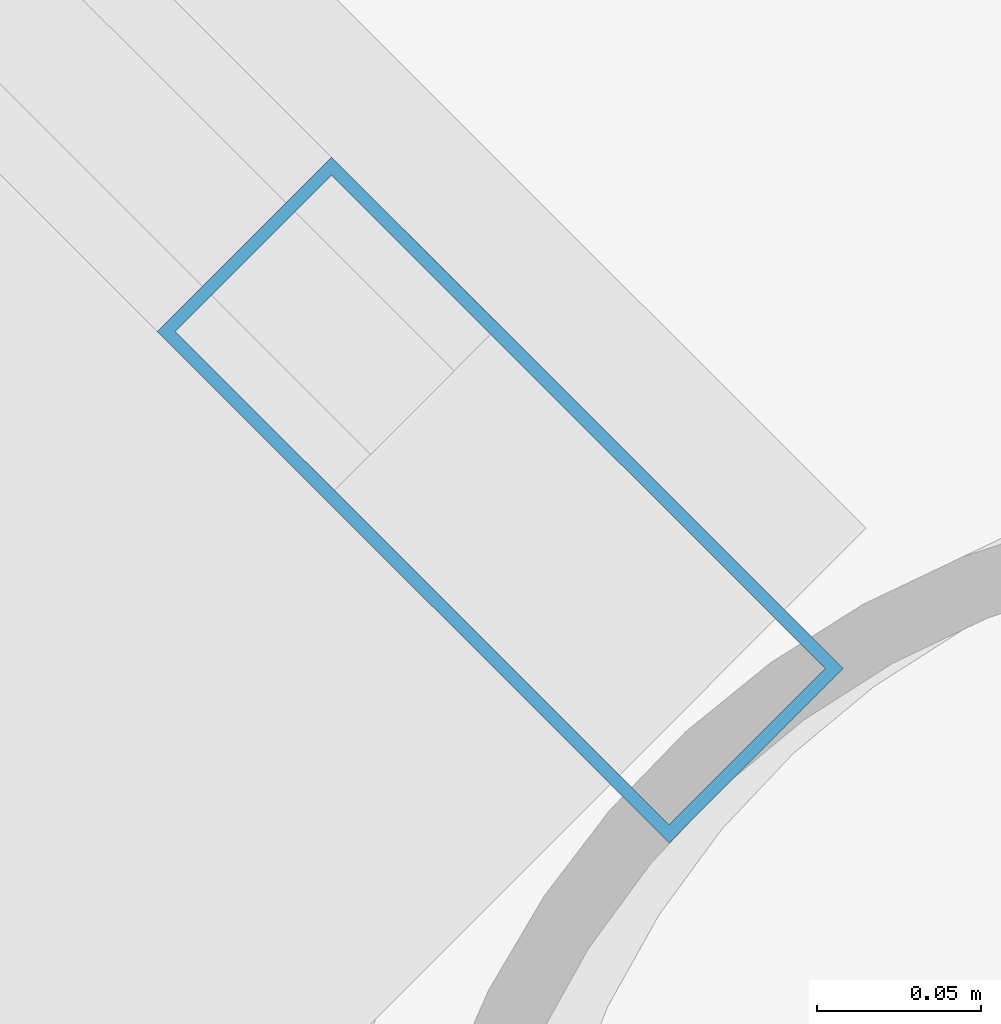
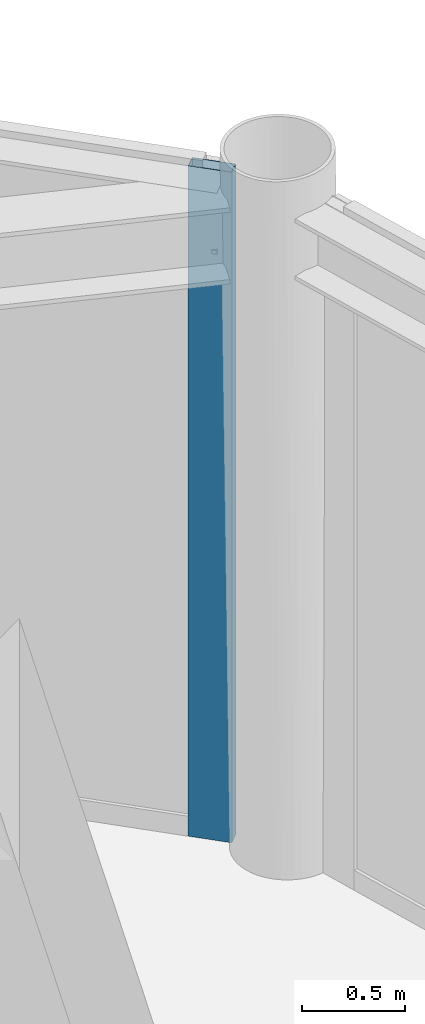
# One storey, part 14 of 21: 1 member, 1 element without a shape of its own.
"""IFC4 building model written with IfcOpenShell, lengths in metres."""

import ifcopenshell
import ifcopenshell.guid

model = None  # the IFC model being written
_history = None  # IfcOwnerHistory: only IFC2X3 demands one
_inside = {}  # id of a spatial element -> (the spatial element, [elements in it])
_under = {}  # id of a project, library or spatial element -> (it, [spatial elements below it])
_declared = {}  # id of a project -> (the project, [libraries it declares])
_typed = {}  # id of a type object -> (the type object, [elements of that type])
_made_of = {}  # id of a material, layer set ... -> (it, [elements and type objects made of it])


def new_model(schema):
    """Start an empty IFC model of exactly this schema.

    Asked for "IFC4X3", IfcOpenShell would pick the latest addendum, in which some entities
    have other attributes; the version numbers below select the first issue.
    IFC2X3 requires an IfcOwnerHistory on every rooted entity: one is made here for all.
    """
    global model, _history
    if schema == "IFC4X3":
        model = ifcopenshell.file(schema_version=(4, 3, 0, 0))
    else:
        model = ifcopenshell.file(schema=schema)
    _inside.clear()
    _under.clear()
    _declared.clear()
    _typed.clear()
    _made_of.clear()
    _history = None
    if model.schema == "IFC2X3":
        org = make("IfcOrganization", Name="unknown")
        user = make(
            "IfcPersonAndOrganization",
            ThePerson=make("IfcPerson", FamilyName="unknown"),
            TheOrganization=org,
        )
        app = make(
            "IfcApplication",
            ApplicationDeveloper=org,
            Version="unknown",
            ApplicationFullName="unknown",
            ApplicationIdentifier="unknown",
        )
        _history = make(
            "IfcOwnerHistory",
            OwningUser=user,
            OwningApplication=app,
            ChangeAction="ADDED",
            CreationDate=0,
        )
    return model


def make(cls, **values):
    """One entity of the class cls with the attributes given. An attribute that is None is left unset."""
    return model.create_entity(
        cls, **{name: value for name, value in values.items() if value is not None}
    )


def rooted(cls, **values):
    """An entity with a GlobalId (a new one), such as an element, a storey or a relation."""
    return make(cls, GlobalId=ifcopenshell.guid.new(), OwnerHistory=_history, **values)


def si_unit(unit_type, name, prefix=None):
    """IfcSIUnit, for example si_unit("LENGTHUNIT", "METRE", prefix="MILLI")."""
    return make("IfcSIUnit", UnitType=unit_type, Prefix=prefix, Name=name)


def assignment(units):
    """IfcUnitAssignment: the units of a project."""
    return None if units is None else make("IfcUnitAssignment", Units=units)


def point(xyz):
    """IfcCartesianPoint."""
    return None if xyz is None else make("IfcCartesianPoint", Coordinates=xyz)


def direction(xyz):
    """IfcDirection."""
    return None if xyz is None else make("IfcDirection", DirectionRatios=xyz)


def frame(location, z_axis=None, x_axis=None):
    """IfcAxis2Placement3D, a coordinate frame: its origin and axes. An axis left out is left unset."""
    return make(
        "IfcAxis2Placement3D",
        Location=point(location),
        Axis=direction(z_axis),
        RefDirection=direction(x_axis),
    )


def frame_2d(location, x_axis=None):
    """IfcAxis2Placement2D, a coordinate frame in the plane: its origin and x axis."""
    return make(
        "IfcAxis2Placement2D", Location=point(location), RefDirection=direction(x_axis)
    )


def origin():
    """The frame at (0, 0, 0) with its axes left unset."""
    return frame((0.0, 0.0, 0.0))


def origin_2d():
    """The frame at (0, 0) in the plane with its x axis left unset."""
    return frame_2d((0.0, 0.0))


def place(relative_to, where):
    """IfcLocalPlacement: puts the frame where relative to a parent placement (None: the world)."""
    return make(
        "IfcLocalPlacement", PlacementRelTo=relative_to, RelativePlacement=where
    )


def context(
    kind, dimensions, precision=None, world=None, true_north=None, identifier=None
):
    """IfcGeometricRepresentationContext, for example the 3D "Model" context."""
    return make(
        "IfcGeometricRepresentationContext",
        ContextIdentifier=identifier,
        ContextType=kind,
        CoordinateSpaceDimension=dimensions,
        Precision=precision,
        WorldCoordinateSystem=world,
        TrueNorth=true_north,
    )


def subcontext(parent, identifier, kind, view, scale=None):
    """IfcGeometricRepresentationSubContext, for example "Body" below "Model"."""
    return make(
        "IfcGeometricRepresentationSubContext",
        ContextIdentifier=identifier,
        ContextType=kind,
        ParentContext=parent,
        TargetScale=scale,
        TargetView=view,
    )


def project(units=None, contexts=None):
    """IfcProject with its units and contexts."""
    return rooted(
        "IfcProject",
        Name="project",
        RepresentationContexts=contexts,
        UnitsInContext=assignment(units),
    )


def spatial(cls, under=None, at=None, **own):
    """A site, building, storey or space (cls), placed at a placement, below another one or the project."""
    s = rooted(cls, ObjectPlacement=at, **own)
    if under is not None:
        _under.setdefault(under.id(), (under, []))[1].append(s)
    return s


def profile(cls, at=None, kind="AREA", **sizes):
    """A parametric profile (cls). Its sizes go by their IFC names, for example OverallWidth=200.0."""
    return make(cls, ProfileType=kind, Position=at, **sizes)


def hollow_rectangle(**sizes):
    """IfcRectangleHollowProfileDef."""
    return profile("IfcRectangleHollowProfileDef", **sizes)


def extrude(swept, where, along, depth):
    """IfcExtrudedAreaSolid: the profile swept, set in the frame where, extruded along a direction by depth."""
    return make(
        "IfcExtrudedAreaSolid",
        SweptArea=swept,
        Position=where,
        ExtrudedDirection=direction(along),
        Depth=depth,
    )


def shape(context_of_items, identifier, shape_type, items):
    """IfcShapeRepresentation: the items that make up one representation, for example the "Body"."""
    return make(
        "IfcShapeRepresentation",
        ContextOfItems=context_of_items,
        RepresentationIdentifier=identifier,
        RepresentationType=shape_type,
        Items=items,
    )


def material(Name=None, Category=None):
    """IfcMaterial."""
    return make("IfcMaterial", Name=Name, Category=Category)


def layer(
    of_material, thickness, ventilated=None, Name=None, Category=None, Priority=None
):
    """IfcMaterialLayer: one layer of a wall or slab, of a material (None: an air gap)."""
    return make(
        "IfcMaterialLayer",
        Material=of_material,
        LayerThickness=thickness,
        IsVentilated=ventilated,
        Name=Name,
        Category=Category,
        Priority=Priority,
    )


def layer_set(layers, Name=None):
    """IfcMaterialLayerSet."""
    return make("IfcMaterialLayerSet", MaterialLayers=layers, LayerSetName=Name)


def material_profile(
    of_material, cross_section, Name=None, Category=None, Priority=None
):
    """IfcMaterialProfile: a cross section and its material."""
    return make(
        "IfcMaterialProfile",
        Name=Name,
        Material=of_material,
        Profile=cross_section,
        Priority=Priority,
        Category=Category,
    )


def profile_set(profiles, Name=None, composite=None):
    """IfcMaterialProfileSet."""
    return make(
        "IfcMaterialProfileSet",
        Name=Name,
        MaterialProfiles=profiles,
        CompositeProfile=composite,
    )


def made_of(thing, what):
    """Note that an element or type object is made of a material, layer set ...; save() writes the relation."""
    if what is not None:
        _made_of.setdefault(what.id(), (what, []))[1].append(thing)
    return thing


def type_object(cls, material=None, **own):
    """A type object (cls), such as IfcWallType, which elements share."""
    return made_of(rooted(cls, **own), material)


def element(
    cls,
    number,
    at=None,
    inside=None,
    cuts=None,
    type_object=None,
    material=None,
    context=None,
    identifier="Body",
    shape_type=None,
    held_by="IfcProductDefinitionShape",
    body=None,
    shapes=None,
    **own,
):
    """One element of the class cls, such as IfcWall. Its Tag is "e" and its number.

    at: its placement. inside: the storey or other place that contains it. cuts: it is an
    opening in that element (IfcRelVoidsElement). A single representation is given by context,
    identifier, shape_type and body (its items); several are given by shapes. held_by: the class
    of the entity that holds the representations. save() writes the other relations.
    """
    e = rooted(cls, Tag="e%d" % number, ObjectPlacement=at, **own)
    if body is not None:
        shapes = [shape(context, identifier, shape_type, body)]
    if shapes is not None:
        e.Representation = make(held_by, Representations=shapes)
    if inside is not None:
        _inside.setdefault(inside.id(), (inside, []))[1].append(e)
    if cuts is not None:
        rooted(
            "IfcRelVoidsElement", RelatingBuildingElement=cuts, RelatedOpeningElement=e
        )
    if type_object is not None:
        _typed.setdefault(type_object.id(), (type_object, []))[1].append(e)
    return made_of(e, material)


def aggregate(whole, parts):
    """IfcRelAggregates: a whole, such as a stair, and the parts it consists of."""
    return rooted("IfcRelAggregates", RelatingObject=whole, RelatedObjects=parts)


def save(model, path):
    """Write the relations noted so far, then the file.

    IfcRelAggregates (storeys below a building ...), IfcRelContainedInSpatialStructure (elements
    in a storey), IfcRelDefinesByType, IfcRelAssociatesMaterial and IfcRelDeclares: one each for
    every whole, place, type object, material and project.
    """
    for whole, parts in _under.values():
        aggregate(whole, parts)
    for where, things in _inside.values():
        rooted(
            "IfcRelContainedInSpatialStructure",
            RelatedElements=things,
            RelatingStructure=where,
        )
    for kind, things in _typed.values():
        rooted("IfcRelDefinesByType", RelatedObjects=things, RelatingType=kind)
    for what, things in _made_of.values():
        rooted("IfcRelAssociatesMaterial", RelatedObjects=things, RelatingMaterial=what)
    for by, libraries in _declared.values():
        rooted("IfcRelDeclares", RelatingContext=by, RelatedDefinitions=libraries)
    model.write(path)


model = new_model("IFC4")

# Units and contexts
model_context = context("Model", 3, precision=1e-05, world=origin(), true_north=direction((0.0, 1.0)))
body_context = subcontext(model_context, "Body", "Model", "MODEL_VIEW")
ifc_project = project(units=[si_unit("LENGTHUNIT", "METRE"), si_unit("AREAUNIT", "SQUARE_METRE"), si_unit("VOLUMEUNIT", "CUBIC_METRE"), si_unit("PLANEANGLEUNIT", "RADIAN"), si_unit("MASSUNIT", "GRAM", prefix="KILO")], contexts=[model_context])

# Site, building, storey
site_placement = place(None, origin())
site = spatial("IfcSite", under=ifc_project, at=site_placement, CompositionType="ELEMENT")
building_placement = place(site_placement, origin())
building = spatial("IfcBuilding", under=site, at=building_placement, Name="Varnakorn Sky Granary", CompositionType="ELEMENT")
storey_placement = place(building_placement, frame((0.0, 0.0, 298.199951171875)))
storey = spatial("IfcBuildingStorey", under=building, at=storey_placement, Name="L76", CompositionType="ELEMENT", Elevation=298.199951171875)

# Curtain wall, member
ifc_material = material(Name="Anodised Bronze Aluminium Alloy 6063-T6", Category="aluminium")
ifc_layer = layer(ifc_material, 0.22998046875, Name="Anodised Bronze Aluminium Alloy 6063-T6")
ifc_layer_set = layer_set([ifc_layer], Name="Anodised Bronze Aluminium Alloy 6063-T6")
curtain_wall_type = type_object("IfcCurtainWallType", Name="CW-LNT-1", PredefinedType="USERDEFINED", material=ifc_layer_set)
curtain_wall_placement = place(storey_placement, origin())
curtain_wall = element("IfcCurtainWall", 1, at=curtain_wall_placement, inside=storey, type_object=curtain_wall_type, Name="Unitised Curtain Wall CW7 CW-L76-B02", ObjectType="CURTAIN WALL", PredefinedType="USERDEFINED")
ifc_material_profile = material_profile(ifc_material, hollow_rectangle(XDim=0.074951171875, YDim=0.219970703125, WallThickness=0.00390625, at=origin_2d()), Name="ALU MULL 75x220")
ifc_profile_set = profile_set([ifc_material_profile], Name="Anodised Bronze Aluminium Alloy 6063-T6")
member_type = type_object("IfcMemberType", Name="CW-LNT-1-MULL", PredefinedType="MULLION", material=ifc_profile_set)
member_placement = place(storey_placement, frame((19.690185546875, 8.977294921875, 0.0), z_axis=(0.0, 0.0, 1.0), x_axis=(0.706663262546, 0.707550021813, 0.0)))
member = element("IfcMember", 2, at=member_placement, type_object=member_type, Name="CW7 mullion 5", PredefinedType="MULLION", context=body_context, shape_type="SweptSolid", body=[
    extrude(hollow_rectangle(XDim=0.074951171875, YDim=0.219970703125, WallThickness=0.00390625, at=origin_2d()), origin(), (0.0, 0.0, 1.0), 3.9599609375),
])
aggregate(curtain_wall, [member])

save(model, "model.ifc")
